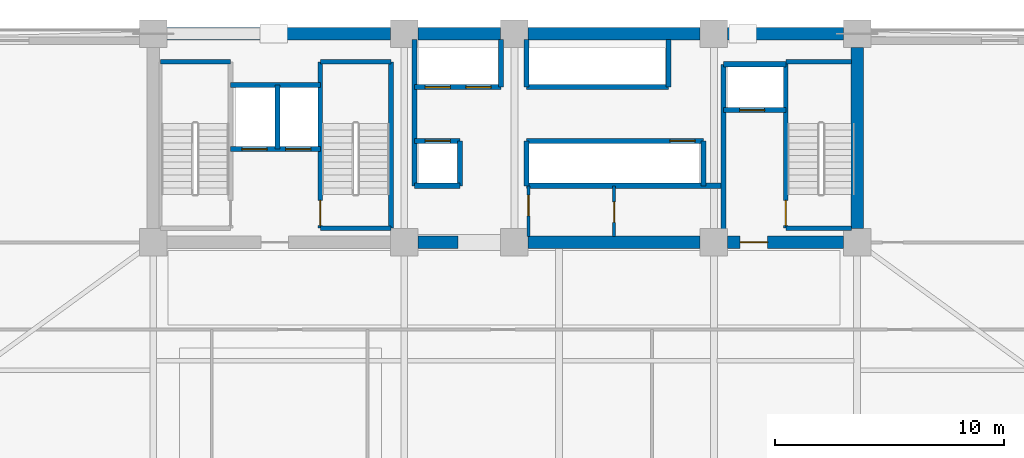
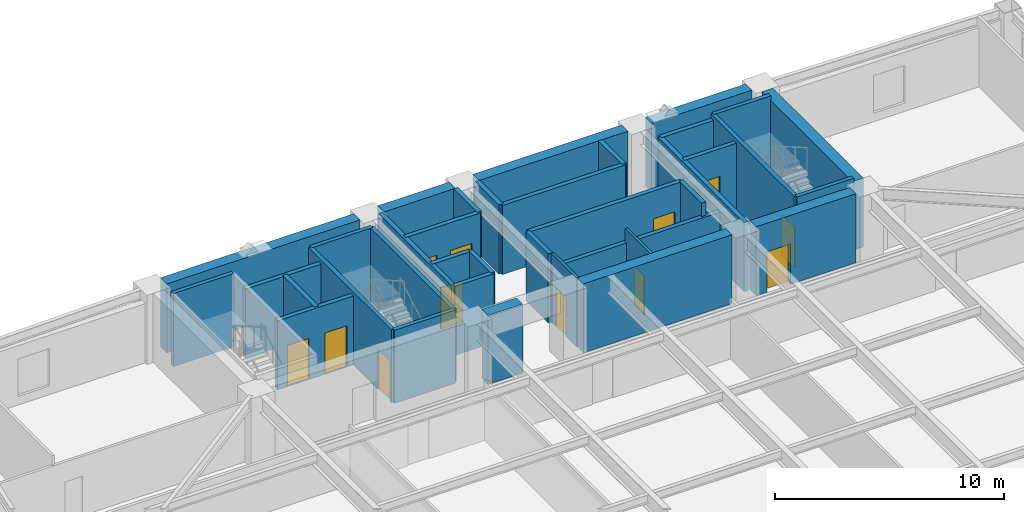
# One storey, part 9 of 15: 37 walls, 12 doors, 12 openings.
"""IFC4 building model written with IfcOpenShell, lengths in metres."""

from ifc_helpers import new_model, si_unit, direction, frame, frame_2d, origin, place, context, subcontext, project, spatial, rectangle, extrude, source, transform, mapped, material, layer, layer_set, type_object, element, fill, save


model = new_model("IFC4")

# Units and contexts
model_context = context("Model", 3, precision=1e-05, world=origin(), true_north=direction((0.0, 1.0)))
body_context = subcontext(model_context, "Body", "Model", "MODEL_VIEW")
ifc_project = project(units=[si_unit("LENGTHUNIT", "METRE"), si_unit("AREAUNIT", "SQUARE_METRE"), si_unit("VOLUMEUNIT", "CUBIC_METRE"), si_unit("PLANEANGLEUNIT", "RADIAN"), si_unit("MASSUNIT", "GRAM", prefix="KILO")], contexts=[model_context])

# Site, building, storey
site_placement = place(None, origin())
site = spatial("IfcSite", under=ifc_project, at=site_placement, CompositionType="ELEMENT")
building_placement = place(site_placement, origin())
building = spatial("IfcBuilding", under=site, at=building_placement, Name="Giltprow Tower", CompositionType="ELEMENT")
storey_placement = place(building_placement, frame((0.0, 0.0, 99.699951171875)))
storey = spatial("IfcBuildingStorey", under=building, at=storey_placement, Name="L24", CompositionType="ELEMENT", Elevation=99.699951171875)

# Wall, openings, doors
ifc_material_1 = material(Name="Concrete C40", Category="concrete")
ifc_layer_1 = layer(ifc_material_1, 0.219970703125, Name="Concrete C40")
ifc_layer_set_1 = layer_set([ifc_layer_1], Name="Concrete C40")
wall_type_1 = type_object("IfcWallType", Name="IW-SHAFT-220", PredefinedType="SOLIDWALL", material=ifc_layer_set_1)
wall_1_placement = place(storey_placement, frame((23.219970703125, 41.52001953125, 0.0), z_axis=(0.0, 0.0, 1.0), x_axis=(1.0, 0.0, 0.0)))
wall_1 = element("IfcWall", 1, at=wall_1_placement, inside=storey, type_object=wall_type_1, Name="L24 FFL1 and Service Lift Front Wall", PredefinedType="SOLIDWALL", context=body_context, shape_type="SweptSolid", body=[
    extrude(rectangle(XDim=3.919921875, YDim=0.219970703125, at=frame_2d((1.9599609375, 0.0))), origin(), (0.0, 0.0, 1.0), 3.679931640625),
])
opening_1_placement = place(wall_1_placement, frame((0.5, 0.0, 0.0)))
opening_1 = element("IfcOpeningElement", 2, at=opening_1_placement, cuts=wall_1, Name="Opening LD-11", PredefinedType="OPENING", context=body_context, shape_type="SweptSolid", body=[
    extrude(rectangle(XDim=1.10009765625, YDim=2.199951171875, at=frame_2d((0.550048828125, 1.10009765625))), frame((0.0, 0.119873046875, 0.0), z_axis=(0.0, -1.0, 0.0), x_axis=(1.0, 0.0, 0.0)), (0.0, 0.0, 1.0), 0.239990234375),
])
opening_2_placement = place(wall_1_placement, frame((2.39990234375, 0.0, 0.0)))
opening_2 = element("IfcOpeningElement", 3, at=opening_2_placement, cuts=wall_1, Name="Opening LD-11", PredefinedType="OPENING", context=body_context, shape_type="SweptSolid", body=[
    extrude(rectangle(XDim=1.10009765625, YDim=2.199951171875, at=frame_2d((0.550048828125, 1.10009765625))), frame((0.0, 0.119873046875, 0.0), z_axis=(0.0, -1.0, 0.0), x_axis=(1.0, 0.0, 0.0)), (0.0, 0.0, 1.0), 0.239990234375),
])
ifc_material_2 = material(Name="Stainless steel", Category="steel")
door_type_1 = type_object("IfcDoorType", Name="DR-LIFT-LD1100", OperationType="SLIDING_TO_LEFT", PredefinedType="DOOR", material=ifc_material_2)
shared_shape_1 = source(origin(), body_context, "Body", "SweptSolid", [
    extrude(rectangle(XDim=1.10009765625, YDim=2.199951171875, at=frame_2d((0.550048828125, 1.10009765625))), frame((0.0, 0.02490234375, 0.0), z_axis=(0.0, -1.0, 0.0), x_axis=(1.0, 0.0, 0.0)), (0.0, 0.0, 1.0), 0.050048828125),
])
door_1_placement = place(opening_1_placement, origin())
door_1 = element("IfcDoor", 4, at=door_1_placement, inside=storey, type_object=door_type_1, Name="L24 FFL1 Landing Door", OperationType="SLIDING_TO_LEFT", OverallHeight=2.199951171875, OverallWidth=1.10009765625, PredefinedType="DOOR", context=body_context, shape_type="MappedRepresentation", body=[
    mapped(shared_shape_1, transform((0.0, 0.0, 0.0), x_axis=(1.0, 0.0, 0.0), y_axis=(0.0, 1.0, 0.0), z_axis=(0.0, 0.0, 1.0), scale=1.0)),
])
fill(opening_1, door_1)
door_2_placement = place(opening_2_placement, origin())
door_2 = element("IfcDoor", 5, at=door_2_placement, inside=storey, type_object=door_type_1, Name="L24 SVL1 Landing Door", OperationType="SLIDING_TO_LEFT", OverallHeight=2.199951171875, OverallWidth=1.10009765625, PredefinedType="DOOR", context=body_context, shape_type="MappedRepresentation", body=[
    mapped(shared_shape_1, transform((0.0, 0.0, 0.0), x_axis=(1.0, 0.0, 0.0), y_axis=(0.0, 1.0, 0.0), z_axis=(0.0, 0.0, 1.0), scale=1.0)),
])
fill(opening_2, door_2)

# Walls
wall_2_placement = place(storey_placement, frame((25.260009765625, 41.52001953125, 0.0), z_axis=(0.0, 0.0, 1.0), x_axis=(0.0, 1.0, 0.0)))
element("IfcWall", 6, at=wall_2_placement, inside=storey, type_object=wall_type_1, Name="L24 FFL1-SVL1 Shaft Divider", PredefinedType="SOLIDWALL", context=body_context, shape_type="SweptSolid", body=[
    extrude(rectangle(XDim=2.800048828125, YDim=0.219970703125, at=frame_2d((1.39990234375, 0.0))), origin(), (0.0, 0.0, 1.0), 3.679931640625),
])
wall_3_placement = place(storey_placement, frame((23.219970703125, 44.320068359375, 0.0), z_axis=(0.0, 0.0, 1.0), x_axis=(1.0, 0.0, 0.0)))
element("IfcWall", 7, at=wall_3_placement, inside=storey, type_object=wall_type_1, Name="L24 FFL1-SVL1 Back Shaft Wall", PredefinedType="SOLIDWALL", context=body_context, shape_type="SweptSolid", body=[
    extrude(rectangle(XDim=3.919921875, YDim=0.219970703125, at=frame_2d((1.9599609375, 0.0))), origin(), (0.0, 0.0, 1.0), 3.679931640625),
])

# Wall, opening, door
wall_4_placement = place(storey_placement, frame((44.719970703125, 43.219970703125, 0.0), z_axis=(0.0, 0.0, 1.0), x_axis=(1.0, 0.0, 0.0)))
wall_4 = element("IfcWall", 8, at=wall_4_placement, inside=storey, type_object=wall_type_1, Name="L24 FFL2 Front Shaft Wall", PredefinedType="SOLIDWALL", context=body_context, shape_type="SweptSolid", body=[
    extrude(rectangle(XDim=2.719970703125, YDim=0.219970703125, at=frame_2d((1.35986328125, 0.0))), origin(), (0.0, 0.0, 1.0), 3.679931640625),
])
opening_3_placement = place(wall_4_placement, frame((0.699951171875, 0.0, 0.0)))
opening_3 = element("IfcOpeningElement", 9, at=opening_3_placement, cuts=wall_4, Name="Opening LD-11", PredefinedType="OPENING", context=body_context, shape_type="SweptSolid", body=[
    extrude(rectangle(XDim=1.10009765625, YDim=2.199951171875, at=frame_2d((0.550048828125, 1.10009765625))), frame((0.0, 0.119873046875, 0.0), z_axis=(0.0, -1.0, 0.0), x_axis=(1.0, 0.0, 0.0)), (0.0, 0.0, 1.0), 0.239990234375),
])
door_3_placement = place(opening_3_placement, origin())
door_3 = element("IfcDoor", 10, at=door_3_placement, inside=storey, type_object=door_type_1, Name="L24 FFL2 Landing Door", OperationType="SLIDING_TO_LEFT", OverallHeight=2.199951171875, OverallWidth=1.10009765625, PredefinedType="DOOR", context=body_context, shape_type="MappedRepresentation", body=[
    mapped(shared_shape_1, transform((0.0, 0.0, 0.0), x_axis=(1.0, 0.0, 0.0), y_axis=(0.0, 1.0, 0.0), z_axis=(0.0, 0.0, 1.0), scale=1.0)),
])
fill(opening_3, door_3)

# Walls
wall_5_placement = place(storey_placement, frame((44.719970703125, 45.219970703125, 0.0), z_axis=(0.0, 0.0, 1.0), x_axis=(1.0, 0.0, 0.0)))
element("IfcWall", 11, at=wall_5_placement, inside=storey, type_object=wall_type_1, Name="L24 FFL2 Back Shaft Wall", PredefinedType="SOLIDWALL", context=body_context, shape_type="SweptSolid", body=[
    extrude(rectangle(XDim=2.719970703125, YDim=0.219970703125, at=frame_2d((1.35986328125, 0.0))), origin(), (0.0, 0.0, 1.0), 3.679931640625),
])
wall_6_placement = place(storey_placement, frame((44.719970703125, 37.705078125, 0.0), z_axis=(0.0, 0.0, 1.0), x_axis=(0.0, 1.0, 0.0)))
element("IfcWall", 12, at=wall_6_placement, inside=storey, type_object=wall_type_1, Name="L24 East Firefighting Lobby West Wall", PredefinedType="SOLIDWALL", context=body_context, shape_type="SweptSolid", body=[
    extrude(rectangle(XDim=7.514892578125, YDim=0.219970703125, at=frame_2d((3.75732421875, 0.0))), origin(), (0.0, 0.0, 1.0), 3.679931640625),
])

# Wall, openings, doors
wall_7_placement = place(storey_placement, frame((31.25, 44.219970703125, 0.0), z_axis=(0.0, 0.0, 1.0), x_axis=(1.0, 0.0, 0.0)))
wall_7 = element("IfcWall", 13, at=wall_7_placement, inside=storey, type_object=wall_type_1, Name="L24 North West Lift Shaft Front Wall", PredefinedType="SOLIDWALL", context=body_context, shape_type="SweptSolid", body=[
    extrude(rectangle(XDim=3.77001953125, YDim=0.219970703125, at=frame_2d((1.885009765625, 0.0))), origin(), (0.0, 0.0, 1.0), 3.679931640625),
])
opening_4_placement = place(wall_7_placement, frame((0.4599609375, 0.0, 0.0)))
opening_4 = element("IfcOpeningElement", 14, at=opening_4_placement, cuts=wall_7, Name="Opening LD-11", PredefinedType="OPENING", context=body_context, shape_type="SweptSolid", body=[
    extrude(rectangle(XDim=1.10009765625, YDim=2.199951171875, at=frame_2d((0.550048828125, 1.10009765625))), frame((0.0, 0.119873046875, 0.0), z_axis=(0.0, -1.0, 0.0), x_axis=(1.0, 0.0, 0.0)), (0.0, 0.0, 1.0), 0.239990234375),
])
opening_5_placement = place(wall_7_placement, frame((2.239990234375, 0.0, 0.0)))
opening_5 = element("IfcOpeningElement", 15, at=opening_5_placement, cuts=wall_7, Name="Opening LD-11", PredefinedType="OPENING", context=body_context, shape_type="SweptSolid", body=[
    extrude(rectangle(XDim=1.10009765625, YDim=2.199951171875, at=frame_2d((0.550048828125, 1.10009765625))), frame((0.0, 0.119873046875, 0.0), z_axis=(0.0, -1.0, 0.0), x_axis=(1.0, 0.0, 0.0)), (0.0, 0.0, 1.0), 0.239990234375),
])
door_4_placement = place(opening_4_placement, origin())
door_4 = element("IfcDoor", 16, at=door_4_placement, inside=storey, type_object=door_type_1, Name="L24 PL-L1 Landing Door", OperationType="SLIDING_TO_LEFT", OverallHeight=2.199951171875, OverallWidth=1.10009765625, PredefinedType="DOOR", context=body_context, shape_type="MappedRepresentation", body=[
    mapped(shared_shape_1, transform((0.0, 0.0, 0.0), x_axis=(1.0, 0.0, 0.0), y_axis=(0.0, 1.0, 0.0), z_axis=(0.0, 0.0, 1.0), scale=1.0)),
])
fill(opening_4, door_4)
door_5_placement = place(opening_5_placement, origin())
door_5 = element("IfcDoor", 17, at=door_5_placement, inside=storey, type_object=door_type_1, Name="L24 PL-L2 Landing Door", OperationType="SLIDING_TO_LEFT", OverallHeight=2.199951171875, OverallWidth=1.10009765625, PredefinedType="DOOR", context=body_context, shape_type="MappedRepresentation", body=[
    mapped(shared_shape_1, transform((0.0, 0.0, 0.0), x_axis=(1.0, 0.0, 0.0), y_axis=(0.0, 1.0, 0.0), z_axis=(0.0, 0.0, 1.0), scale=1.0)),
])
fill(opening_5, door_5)

# Walls
wall_8_placement = place(storey_placement, frame((36.1201171875, 44.219970703125, 0.0), z_axis=(0.0, 0.0, 1.0), x_axis=(1.0, 0.0, 0.0)))
element("IfcWall", 18, at=wall_8_placement, inside=storey, type_object=wall_type_1, Name="L24 North East Lift Shaft Front Wall", PredefinedType="SOLIDWALL", context=body_context, shape_type="SweptSolid", body=[
    extrude(rectangle(XDim=6.199951171875, YDim=0.219970703125, at=frame_2d((3.10009765625, 0.0))), origin(), (0.0, 0.0, 1.0), 3.679931640625),
])
for number, where, z_axis, x_axis, name in (
    (19, (35.02001953125, 44.219970703125, 0.0), (0.0, 0.0, 1.0), (0.0, 1.0, 0.0), "L24 North West Lift Shaft East Closure"),
    (20, (36.1201171875, 44.219970703125, 0.0), (0.0, 0.0, 1.0), (0.0, 1.0, 0.0), "L24 North East Lift Shaft West Closure"),
    (21, (42.320068359375, 44.219970703125, 0.0), (0.0, 0.0, 1.0), (0.0, 1.0, 0.0), "L24 North East Lift Shaft East Closure"),
):
    element("IfcWall", number, at=place(storey_placement, frame(where, z_axis=z_axis, x_axis=x_axis)), inside=storey, type_object=wall_type_1, Name=name, PredefinedType="SOLIDWALL", context=body_context, shape_type="SweptSolid", body=[
        extrude(rectangle(XDim=2.074951171875, YDim=0.219970703125, at=frame_2d((1.03759765625, 0.0))), origin(), (0.0, 0.0, 1.0), 3.679931640625),
    ])

# Wall, opening, door
wall_9_placement = place(storey_placement, frame((31.25, 41.8798828125, 0.0), z_axis=(0.0, 0.0, 1.0), x_axis=(1.0, 0.0, 0.0)))
wall_9 = element("IfcWall", 22, at=wall_9_placement, inside=storey, type_object=wall_type_1, Name="L24 South West Lift Shaft Front Wall", PredefinedType="SOLIDWALL", context=body_context, shape_type="SweptSolid", body=[
    extrude(rectangle(XDim=1.969970703125, YDim=0.219970703125, at=frame_2d((0.98486328125, 0.0))), origin(), (0.0, 0.0, 1.0), 3.679931640625),
])
opening_6_placement = place(wall_9_placement, frame((0.4599609375, 0.0, 0.0)))
opening_6 = element("IfcOpeningElement", 23, at=opening_6_placement, cuts=wall_9, Name="Opening LD-11", PredefinedType="OPENING", context=body_context, shape_type="SweptSolid", body=[
    extrude(rectangle(XDim=1.10009765625, YDim=2.199951171875, at=frame_2d((0.550048828125, 1.10009765625))), frame((0.0, 0.119873046875, 0.0), z_axis=(0.0, -1.0, 0.0), x_axis=(1.0, 0.0, 0.0)), (0.0, 0.0, 1.0), 0.239990234375),
])
door_6_placement = place(opening_6_placement, origin())
door_6 = element("IfcDoor", 24, at=door_6_placement, inside=storey, type_object=door_type_1, Name="L24 PL-L3 Landing Door", OperationType="SLIDING_TO_LEFT", OverallHeight=2.199951171875, OverallWidth=1.10009765625, PredefinedType="DOOR", context=body_context, shape_type="MappedRepresentation", body=[
    mapped(shared_shape_1, transform((0.0, 0.0, 0.0), x_axis=(1.0, 0.0, 0.0), y_axis=(0.0, 1.0, 0.0), z_axis=(0.0, 0.0, 1.0), scale=1.0)),
])
fill(opening_6, door_6)

wall_10_placement = place(storey_placement, frame((36.1201171875, 41.8798828125, 0.0), z_axis=(0.0, 0.0, 1.0), x_axis=(1.0, 0.0, 0.0)))
wall_10 = element("IfcWall", 25, at=wall_10_placement, inside=storey, type_object=wall_type_1, Name="L24 South East Lift Shaft Front Wall", PredefinedType="SOLIDWALL", context=body_context, shape_type="SweptSolid", body=[
    extrude(rectangle(XDim=7.72998046875, YDim=0.219970703125, at=frame_2d((3.864990234375, 0.0))), origin(), (0.0, 0.0, 1.0), 3.679931640625),
])
opening_7_placement = place(wall_10_placement, frame((6.260009765625, 0.0, 0.0)))
opening_7 = element("IfcOpeningElement", 26, at=opening_7_placement, cuts=wall_10, Name="Opening LD-11", PredefinedType="OPENING", context=body_context, shape_type="SweptSolid", body=[
    extrude(rectangle(XDim=1.10009765625, YDim=2.199951171875, at=frame_2d((0.550048828125, 1.10009765625))), frame((0.0, 0.119873046875, 0.0), z_axis=(0.0, -1.0, 0.0), x_axis=(1.0, 0.0, 0.0)), (0.0, 0.0, 1.0), 0.239990234375),
])
door_7_placement = place(opening_7_placement, origin())
door_7 = element("IfcDoor", 27, at=door_7_placement, inside=storey, type_object=door_type_1, Name="L24 PL-L4 Landing Door", OperationType="SLIDING_TO_LEFT", OverallHeight=2.199951171875, OverallWidth=1.10009765625, PredefinedType="DOOR", context=body_context, shape_type="MappedRepresentation", body=[
    mapped(shared_shape_1, transform((0.0, 0.0, 0.0), x_axis=(1.0, 0.0, 0.0), y_axis=(0.0, 1.0, 0.0), z_axis=(0.0, 0.0, 1.0), scale=1.0)),
])
fill(opening_7, door_7)

# Walls
wall_11_placement = place(storey_placement, frame((31.25, 39.919921875, 0.0), z_axis=(0.0, 0.0, 1.0), x_axis=(1.0, 0.0, 0.0)))
element("IfcWall", 28, at=wall_11_placement, inside=storey, type_object=wall_type_1, Name="L24 Low-Rise South Lift Back Wall", PredefinedType="SOLIDWALL", context=body_context, shape_type="SweptSolid", body=[
    extrude(rectangle(XDim=1.969970703125, YDim=0.219970703125, at=frame_2d((0.98486328125, 0.0))), origin(), (0.0, 0.0, 1.0), 3.679931640625),
])
wall_12_placement = place(storey_placement, frame((33.219970703125, 39.919921875, 0.0), z_axis=(0.0, 0.0, 1.0), x_axis=(0.0, 1.0, 0.0)))
element("IfcWall", 29, at=wall_12_placement, inside=storey, type_object=wall_type_1, Name="L24 Low-Rise South Lift East Closure", PredefinedType="SOLIDWALL", context=body_context, shape_type="SweptSolid", body=[
    extrude(rectangle(XDim=1.9599609375, YDim=0.219970703125, at=frame_2d((0.97998046875, 0.0))), origin(), (0.0, 0.0, 1.0), 3.679931640625),
])
wall_13_placement = place(storey_placement, frame((36.1201171875, 39.919921875, 0.0), z_axis=(0.0, 0.0, 1.0), x_axis=(1.0, 0.0, 0.0)))
element("IfcWall", 30, at=wall_13_placement, inside=storey, type_object=wall_type_1, Name="L24 Express South Shaft Back Wall", PredefinedType="SOLIDWALL", context=body_context, shape_type="SweptSolid", body=[
    extrude(rectangle(XDim=8.599853515625, YDim=0.219970703125, at=frame_2d((4.2998046875, 0.0))), origin(), (0.0, 0.0, 1.0), 2.965087890625),
])
wall_14_placement = place(storey_placement, frame((36.1201171875, 39.919921875, 0.0), z_axis=(0.0, 0.0, 1.0), x_axis=(0.0, 1.0, 0.0)))
element("IfcWall", 31, at=wall_14_placement, inside=storey, type_object=wall_type_1, Name="L24 Express South Shaft West Closure", PredefinedType="SOLIDWALL", context=body_context, shape_type="SweptSolid", body=[
    extrude(rectangle(XDim=1.9599609375, YDim=0.219970703125, at=frame_2d((0.97998046875, 0.0))), origin(), (0.0, 0.0, 1.0), 3.679931640625),
])
wall_15_placement = place(storey_placement, frame((31.25, 39.919921875, 0.0), z_axis=(0.0, 0.0, 1.0), x_axis=(0.0, 1.0, 0.0)))
element("IfcWall", 32, at=wall_15_placement, inside=storey, type_object=wall_type_1, Name="L24 Lift Bank West Closure", PredefinedType="SOLIDWALL", context=body_context, shape_type="SweptSolid", body=[
    extrude(rectangle(XDim=6.375, YDim=0.219970703125, at=frame_2d((3.1875, 0.0))), origin(), (0.0, 0.0, 1.0), 3.679931640625),
])
wall_16_placement = place(storey_placement, frame((43.85009765625, 39.919921875, 0.0), z_axis=(0.0, 0.0, 1.0), x_axis=(0.0, 1.0, 0.0)))
element("IfcWall", 33, at=wall_16_placement, inside=storey, type_object=wall_type_1, Name="L24 Lift Bank South-East Closure", PredefinedType="SOLIDWALL", context=body_context, shape_type="SweptSolid", body=[
    extrude(rectangle(XDim=1.9599609375, YDim=0.219970703125, at=frame_2d((0.97998046875, 0.0))), origin(), (0.0, 0.0, 1.0), 3.679931640625),
])
ifc_layer_2 = layer(ifc_material_1, 0.199951171875, Name="Concrete C40")
ifc_layer_set_2 = layer_set([ifc_layer_2], Name="Concrete C40")
wall_type_2 = type_object("IfcWallType", Name="IW-STAIR-200", PredefinedType="SOLIDWALL", material=ifc_layer_set_2)
wall_17_placement = place(storey_placement, frame((20.169921875, 45.320068359375, 0.0), z_axis=(0.0, 0.0, 1.0), x_axis=(1.0, 0.0, 0.0)))
element("IfcWall", 34, at=wall_17_placement, inside=storey, type_object=wall_type_2, Name="L24 Stair ST-1 North Bearing Wall", PredefinedType="SOLIDWALL", context=body_context, shape_type="SweptSolid", body=[
    extrude(rectangle(XDim=3.050048828125, YDim=0.199951171875, at=frame_2d((1.52490234375, 0.0))), origin(), (0.0, 0.0, 1.0), 3.900146484375),
])

# Wall, opening, door
wall_18_placement = place(storey_placement, frame((27.139892578125, 38.070068359375, 0.0), z_axis=(0.0, 0.0, 1.0), x_axis=(0.0, 1.0, 0.0)))
wall_18 = element("IfcWall", 35, at=wall_18_placement, inside=storey, type_object=wall_type_2, Name="L24 Stair ST-2 West Bearing Wall", PredefinedType="SOLIDWALL", context=body_context, shape_type="SweptSolid", body=[
    extrude(rectangle(XDim=7.25, YDim=0.199951171875, at=frame_2d((3.625, 0.0))), origin(), (0.0, 0.0, 1.0), 3.900146484375),
])
opening_8_placement = place(wall_18_placement, frame((0.110107421875, 0.0, 0.0)))
opening_8 = element("IfcOpeningElement", 36, at=opening_8_placement, cuts=wall_18, Name="Opening ID33", PredefinedType="OPENING", context=body_context, shape_type="SweptSolid", body=[
    extrude(rectangle(XDim=1.10009765625, YDim=2.14990234375, at=frame_2d((0.550048828125, 1.074951171875))), frame((0.0, 0.10986328125, 0.0), z_axis=(0.0, -1.0, 0.0), x_axis=(1.0, 0.0, 0.0)), (0.0, 0.0, 1.0), 0.219970703125),
])
ifc_material_3 = material(Name="Steel fire leaf", Category="steel")
door_type_2 = type_object("IfcDoorType", Name="DR-STAIR-1100", OperationType="SINGLE_SWING_LEFT", PredefinedType="DOOR", material=ifc_material_3)
shared_shape_2 = source(origin(), body_context, "Body", "SweptSolid", [
    extrude(rectangle(XDim=1.10009765625, YDim=2.14990234375, at=frame_2d((0.550048828125, 1.074951171875))), frame((0.0, 0.02490234375, 0.0), z_axis=(0.0, -1.0, 0.0), x_axis=(1.0, 0.0, 0.0)), (0.0, 0.0, 1.0), 0.050048828125),
])
door_8_placement = place(opening_8_placement, origin())
door_8 = element("IfcDoor", 37, at=door_8_placement, inside=storey, type_object=door_type_2, Name="L24 Stair ST-2 Fire Door", OperationType="SINGLE_SWING_RIGHT", OverallHeight=2.14990234375, OverallWidth=1.10009765625, PredefinedType="DOOR", context=body_context, shape_type="MappedRepresentation", body=[
    mapped(shared_shape_2, transform((0.0, 0.0, 0.0), x_axis=(1.0, 0.0, 0.0), y_axis=(0.0, 1.0, 0.0), z_axis=(0.0, 0.0, 1.0), scale=1.0)),
])
fill(opening_8, door_8)

# Walls
wall_19_placement = place(storey_placement, frame((30.219970703125, 38.070068359375, 0.0), z_axis=(0.0, 0.0, 1.0), x_axis=(0.0, 1.0, 0.0)))
element("IfcWall", 38, at=wall_19_placement, inside=storey, type_object=wall_type_2, Name="L24 Stair ST-2 East Bearing Wall", PredefinedType="SOLIDWALL", context=body_context, shape_type="SweptSolid", body=[
    extrude(rectangle(XDim=7.25, YDim=0.199951171875, at=frame_2d((3.625, 0.0))), origin(), (0.0, 0.0, 1.0), 3.900146484375),
])
for number, where, z_axis, x_axis, name in (
    (39, (27.139892578125, 45.320068359375, 0.0), (0.0, 0.0, 1.0), (1.0, 0.0, 0.0), "L24 Stair ST-2 North Bearing Wall"),
    (40, (27.139892578125, 38.070068359375, 0.0), (0.0, 0.0, 1.0), (1.0, 0.0, 0.0), "L24 Stair ST-2 South Bearing Wall"),
):
    element("IfcWall", number, at=place(storey_placement, frame(where, z_axis=z_axis, x_axis=x_axis)), inside=storey, type_object=wall_type_2, Name=name, PredefinedType="SOLIDWALL", context=body_context, shape_type="SweptSolid", body=[
        extrude(rectangle(XDim=3.080078125, YDim=0.199951171875, at=frame_2d((1.5400390625, 0.0))), origin(), (0.0, 0.0, 1.0), 3.900146484375),
    ])

# Wall, opening, door
wall_20_placement = place(storey_placement, frame((47.43994140625, 38.070068359375, 0.0), z_axis=(0.0, 0.0, 1.0), x_axis=(0.0, 1.0, 0.0)))
wall_20 = element("IfcWall", 41, at=wall_20_placement, inside=storey, type_object=wall_type_2, Name="L24 Stair ST-3 West Bearing Wall", PredefinedType="SOLIDWALL", context=body_context, shape_type="SweptSolid", body=[
    extrude(rectangle(XDim=7.25, YDim=0.199951171875, at=frame_2d((3.625, 0.0))), origin(), (0.0, 0.0, 1.0), 3.900146484375),
])
opening_9_placement = place(wall_20_placement, frame((0.110107421875, 0.0, 0.0)))
opening_9 = element("IfcOpeningElement", 42, at=opening_9_placement, cuts=wall_20, Name="Opening ID33", PredefinedType="OPENING", context=body_context, shape_type="SweptSolid", body=[
    extrude(rectangle(XDim=1.10009765625, YDim=2.14990234375, at=frame_2d((0.550048828125, 1.074951171875))), frame((0.0, 0.10986328125, 0.0), z_axis=(0.0, -1.0, 0.0), x_axis=(1.0, 0.0, 0.0)), (0.0, 0.0, 1.0), 0.219970703125),
])
door_9_placement = place(opening_9_placement, origin())
door_9 = element("IfcDoor", 43, at=door_9_placement, inside=storey, type_object=door_type_2, Name="L24 Stair ST-3 Fire Door", OperationType="SINGLE_SWING_LEFT", OverallHeight=2.14990234375, OverallWidth=1.10009765625, PredefinedType="DOOR", context=body_context, shape_type="MappedRepresentation", body=[
    mapped(shared_shape_2, transform((0.0, 0.0, 0.0), x_axis=(1.0, 0.0, 0.0), y_axis=(0.0, 1.0, 0.0), z_axis=(0.0, 0.0, 1.0), scale=1.0)),
])
fill(opening_9, door_9)

# Walls
for number, where, z_axis, x_axis, name in (
    (44, (47.43994140625, 45.320068359375, 0.0), (0.0, 0.0, 1.0), (1.0, 0.0, 0.0), "L24 Stair ST-3 North Bearing Wall"),
    (45, (47.43994140625, 38.070068359375, 0.0), (0.0, 0.0, 1.0), (1.0, 0.0, 0.0), "L24 Stair ST-3 South Bearing Wall"),
):
    element("IfcWall", number, at=place(storey_placement, frame(where, z_axis=z_axis, x_axis=x_axis)), inside=storey, type_object=wall_type_2, Name=name, PredefinedType="SOLIDWALL", context=body_context, shape_type="SweptSolid", body=[
        extrude(rectangle(XDim=2.85498046875, YDim=0.199951171875, at=frame_2d((1.427490234375, 0.0))), origin(), (0.0, 0.0, 1.0), 3.900146484375),
    ])

# Wall, opening, door
ifc_material_4 = material(Name="Concrete C30", Category="concrete")
ifc_layer_3 = layer(ifc_material_4, 0.1298828125, Name="Concrete C30")
ifc_layer_set_3 = layer_set([ifc_layer_3], Name="Concrete C30")
wall_type_3 = type_object("IfcWallType", Name="IW-WET-130", PredefinedType="PARTITIONING", material=ifc_layer_set_3)
wall_21_placement = place(storey_placement, frame((36.219970703125, 37.705078125, 0.0), z_axis=(0.0, 0.0, 1.0), x_axis=(0.0, 1.0, 0.0)))
wall_21 = element("IfcWall", 46, at=wall_21_placement, inside=storey, type_object=wall_type_3, Name="L24 Core Suite West Wall", PredefinedType="PARTITIONING", context=body_context, shape_type="SweptSolid", body=[
    extrude(rectangle(XDim=2.21484375, YDim=0.1298828125, at=frame_2d((1.107421875, 0.0))), origin(), (0.0, 0.0, 1.0), 3.679931640625),
])
opening_10_placement = place(wall_21_placement, frame((0.905029296875, 0.0, 0.0)))
opening_10 = element("IfcOpeningElement", 47, at=opening_10_placement, cuts=wall_21, Name="Opening ID35", PredefinedType="OPENING", context=body_context, shape_type="SweptSolid", body=[
    extrude(rectangle(XDim=0.89990234375, YDim=2.10009765625, at=frame_2d((0.449951171875, 1.050048828125))), frame((0.0, 0.074951171875, 0.0), z_axis=(0.0, -1.0, 0.0), x_axis=(1.0, 0.0, 0.0)), (0.0, 0.0, 1.0), 0.14990234375),
])
door_type_3 = type_object("IfcDoorType", Name="DR-SHAFT-900", OperationType="SINGLE_SWING_LEFT", PredefinedType="DOOR", material=ifc_material_3)
shared_shape_3 = source(origin(), body_context, "Body", "SweptSolid", [
    extrude(rectangle(XDim=0.89990234375, YDim=2.10009765625, at=frame_2d((0.449951171875, 1.050048828125))), frame((0.0, 0.02490234375, 0.0), z_axis=(0.0, -1.0, 0.0), x_axis=(1.0, 0.0, 0.0)), (0.0, 0.0, 1.0), 0.050048828125),
])
door_10_placement = place(opening_10_placement, origin())
door_10 = element("IfcDoor", 48, at=door_10_placement, inside=storey, type_object=door_type_3, Name="L24 Core Powder Room Door", OperationType="SINGLE_SWING_RIGHT", OverallHeight=2.10009765625, OverallWidth=0.89990234375, PredefinedType="DOOR", context=body_context, shape_type="MappedRepresentation", body=[
    mapped(shared_shape_3, transform((0.0, 0.0, 0.0), x_axis=(1.0, 0.0, 0.0), y_axis=(0.0, 1.0, 0.0), z_axis=(0.0, 0.0, 1.0), scale=1.0)),
])
fill(opening_10, door_10)

wall_22_placement = place(storey_placement, frame((39.949951171875, 37.705078125, 0.0), z_axis=(0.0, 0.0, 1.0), x_axis=(0.0, 1.0, 0.0)))
wall_22 = element("IfcWall", 49, at=wall_22_placement, inside=storey, type_object=wall_type_3, Name="L24 Core Suite Divider", PredefinedType="PARTITIONING", context=body_context, shape_type="SweptSolid", body=[
    extrude(rectangle(XDim=2.21484375, YDim=0.1298828125, at=frame_2d((1.107421875, 0.0))), origin(), (0.0, 0.0, 1.0), 3.679931640625),
])
opening_11_placement = place(wall_22_placement, frame((0.614990234375, 0.0, 0.0)))
opening_11 = element("IfcOpeningElement", 50, at=opening_11_placement, cuts=wall_22, Name="Opening ID35", PredefinedType="OPENING", context=body_context, shape_type="SweptSolid", body=[
    extrude(rectangle(XDim=0.89990234375, YDim=2.10009765625, at=frame_2d((0.449951171875, 1.050048828125))), frame((0.0, 0.074951171875, 0.0), z_axis=(0.0, -1.0, 0.0), x_axis=(1.0, 0.0, 0.0)), (0.0, 0.0, 1.0), 0.14990234375),
])
door_11_placement = place(opening_11_placement, origin())
door_11 = element("IfcDoor", 51, at=door_11_placement, inside=storey, type_object=door_type_3, Name="L24 Core Pantry Closet Door", OperationType="SINGLE_SWING_LEFT", OverallHeight=2.10009765625, OverallWidth=0.89990234375, PredefinedType="DOOR", context=body_context, shape_type="MappedRepresentation", body=[
    mapped(shared_shape_3, transform((0.0, 0.0, 0.0), x_axis=(1.0, 0.0, 0.0), y_axis=(0.0, 1.0, 0.0), z_axis=(0.0, 0.0, 1.0), scale=1.0)),
])
fill(opening_11, door_11)

# Walls
ifc_material_5 = material(Name="Concrete C60", Category="concrete")
ifc_layer_4 = layer(ifc_material_5, 0.550048828125, Name="Concrete C60")
ifc_layer_set_4 = layer_set([ifc_layer_4], Name="Concrete C60")
wall_type_4 = type_object("IfcWallType", Name="SW-EXT-550-C60", PredefinedType="SHEAR", material=ifc_layer_set_4)
wall_23_placement = place(storey_placement, frame((20.449951171875, 46.550048828125, 0.0), z_axis=(0.0, 0.0, 1.0), x_axis=(1.0, 0.0, 0.0)))
element("IfcWall", 52, at=wall_23_placement, inside=storey, type_object=wall_type_4, Name="L24 North Rear Core Shear Wall 1", PredefinedType="SHEAR", context=body_context, shape_type="SweptSolid", body=[
    extrude(rectangle(XDim=9.75, YDim=0.550048828125, at=frame_2d((4.875, 0.0))), origin(), (0.0, 0.0, 1.0), 3.679931640625),
])
wall_24_placement = place(storey_placement, frame((31.39990234375, 46.550048828125, 0.0), z_axis=(0.0, 0.0, 1.0), x_axis=(1.0, 0.0, 0.0)))
element("IfcWall", 53, at=wall_24_placement, inside=storey, type_object=wall_type_4, Name="L24 North Rear Core Shear Wall 2", PredefinedType="SHEAR", context=body_context, shape_type="SweptSolid", body=[
    extrude(rectangle(XDim=3.60009765625, YDim=0.550048828125, at=frame_2d((1.800048828125, 0.0))), origin(), (0.0, 0.0, 1.0), 3.679931640625),
])
wall_25_placement = place(storey_placement, frame((36.199951171875, 46.550048828125, 0.0), z_axis=(0.0, 0.0, 1.0), x_axis=(1.0, 0.0, 0.0)))
element("IfcWall", 54, at=wall_25_placement, inside=storey, type_object=wall_type_4, Name="L24 North Rear Core Shear Wall 3", PredefinedType="SHEAR", context=body_context, shape_type="SweptSolid", body=[
    extrude(rectangle(XDim=7.5, YDim=0.550048828125, at=frame_2d((3.75, 0.0))), origin(), (0.0, 0.0, 1.0), 3.679931640625),
])
wall_26_placement = place(storey_placement, frame((44.89990234375, 46.550048828125, 0.0), z_axis=(0.0, 0.0, 1.0), x_axis=(1.0, 0.0, 0.0)))
element("IfcWall", 55, at=wall_26_placement, inside=storey, type_object=wall_type_4, Name="L24 North Rear Core Shear Wall 4", PredefinedType="SHEAR", context=body_context, shape_type="SweptSolid", body=[
    extrude(rectangle(XDim=5.050048828125, YDim=0.550048828125, at=frame_2d((2.52490234375, 0.0))), origin(), (0.0, 0.0, 1.0), 3.679931640625),
])
ifc_layer_5 = layer(ifc_material_5, 0.550048828125, Name="Concrete C60")
ifc_layer_set_5 = layer_set([ifc_layer_5], Name="Concrete C60")
wall_type_5 = type_object("IfcWallType", Name="SW-INT-550-C60", PredefinedType="SHEAR", material=ifc_layer_set_5)
wall_27_placement = place(storey_placement, frame((31.39990234375, 37.449951171875, 0.0), z_axis=(0.0, 0.0, 1.0), x_axis=(1.0, 0.0, 0.0)))
element("IfcWall", 56, at=wall_27_placement, inside=storey, type_object=wall_type_5, Name="L24 South Rear Core Shear Wall Mid-West", PredefinedType="SHEAR", context=body_context, shape_type="SweptSolid", body=[
    extrude(rectangle(XDim=1.75, YDim=0.550048828125, at=frame_2d((0.875, 0.0))), origin(), (0.0, 0.0, 1.0), 3.679931640625),
])
wall_28_placement = place(storey_placement, frame((36.199951171875, 37.449951171875, 0.0), z_axis=(0.0, 0.0, 1.0), x_axis=(1.0, 0.0, 0.0)))
element("IfcWall", 57, at=wall_28_placement, inside=storey, type_object=wall_type_5, Name="L24 South Rear Core Shear Wall Mid-East", PredefinedType="SHEAR", context=body_context, shape_type="SweptSolid", body=[
    extrude(rectangle(XDim=7.5, YDim=0.550048828125, at=frame_2d((3.75, 0.0))), origin(), (0.0, 0.0, 1.0), 3.679931640625),
])

# Wall, opening, door
wall_29_placement = place(storey_placement, frame((44.89990234375, 37.449951171875, 0.0), z_axis=(0.0, 0.0, 1.0), x_axis=(1.0, 0.0, 0.0)))
wall_29 = element("IfcWall", 58, at=wall_29_placement, inside=storey, type_object=wall_type_5, Name="L24 South Rear Core Shear Wall East", PredefinedType="SHEAR", context=body_context, shape_type="SweptSolid", body=[
    extrude(rectangle(XDim=5.050048828125, YDim=0.550048828125, at=frame_2d((2.52490234375, 0.0))), origin(), (0.0, 0.0, 1.0), 3.679931640625),
])
opening_12_placement = place(wall_29_placement, frame((0.550048828125, 0.0, 0.0)))
opening_12 = element("IfcOpeningElement", 59, at=opening_12_placement, cuts=wall_29, Name="Opening ID19", PredefinedType="OPENING", context=body_context, shape_type="SweptSolid", body=[
    extrude(rectangle(XDim=1.199951171875, YDim=2.14990234375, at=frame_2d((0.60009765625, 1.074951171875))), frame((0.0, 0.284912109375, 0.0), z_axis=(0.0, -1.0, 0.0), x_axis=(1.0, 0.0, 0.0)), (0.0, 0.0, 1.0), 0.570068359375),
])
door_type_4 = type_object("IfcDoorType", Name="DR-FFLOBBY-1200", OperationType="SINGLE_SWING_RIGHT", PredefinedType="DOOR", material=ifc_material_3)
shared_shape_4 = source(origin(), body_context, "Body", "SweptSolid", [
    extrude(rectangle(XDim=1.199951171875, YDim=2.14990234375, at=frame_2d((0.60009765625, 1.074951171875))), frame((0.0, 0.02490234375, 0.0), z_axis=(0.0, -1.0, 0.0), x_axis=(1.0, 0.0, 0.0)), (0.0, 0.0, 1.0), 0.050048828125),
])
door_12_placement = place(opening_12_placement, origin())
door_12 = element("IfcDoor", 60, at=door_12_placement, inside=storey, type_object=door_type_4, Name="L24 East Firefighting Lobby Entry Door", OperationType="SINGLE_SWING_RIGHT", OverallHeight=2.14990234375, OverallWidth=1.199951171875, PredefinedType="DOOR", context=body_context, shape_type="MappedRepresentation", body=[
    mapped(shared_shape_4, transform((0.0, 0.0, 0.0), x_axis=(1.0, 0.0, 0.0), y_axis=(0.0, 1.0, 0.0), z_axis=(0.0, 0.0, 1.0), scale=1.0)),
])
fill(opening_12, door_12)

# Wall
wall_30_placement = place(storey_placement, frame((50.550048828125, 38.050048828125, 0.0), z_axis=(0.0, 0.0, 1.0), x_axis=(0.0, 1.0, 0.0)))
element("IfcWall", 61, at=wall_30_placement, inside=storey, type_object=wall_type_5, Name="L24 E Rear Core Shear Wall", PredefinedType="SHEAR", context=body_context, shape_type="SweptSolid", body=[
    extrude(rectangle(XDim=7.89990234375, YDim=0.550048828125, at=frame_2d((3.949951171875, 0.0))), origin(), (0.0, 0.0, 1.0), 3.679931640625),
])

save(model, "model.ifc")
